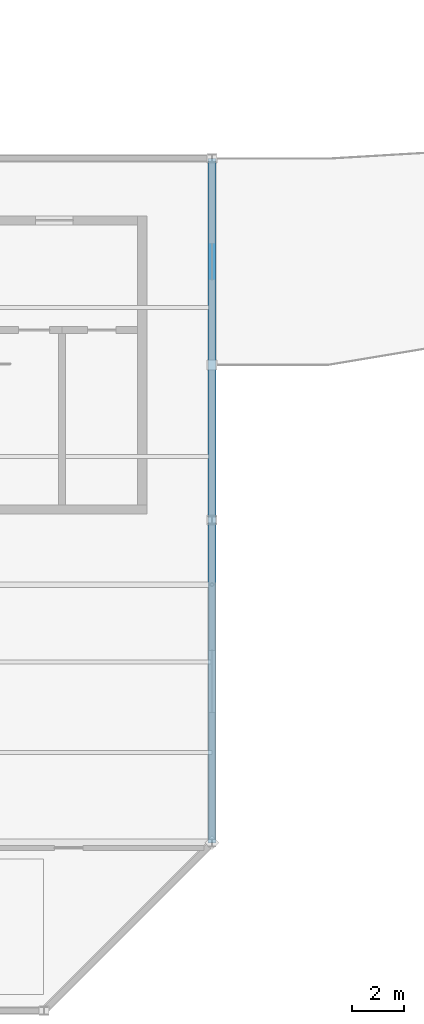
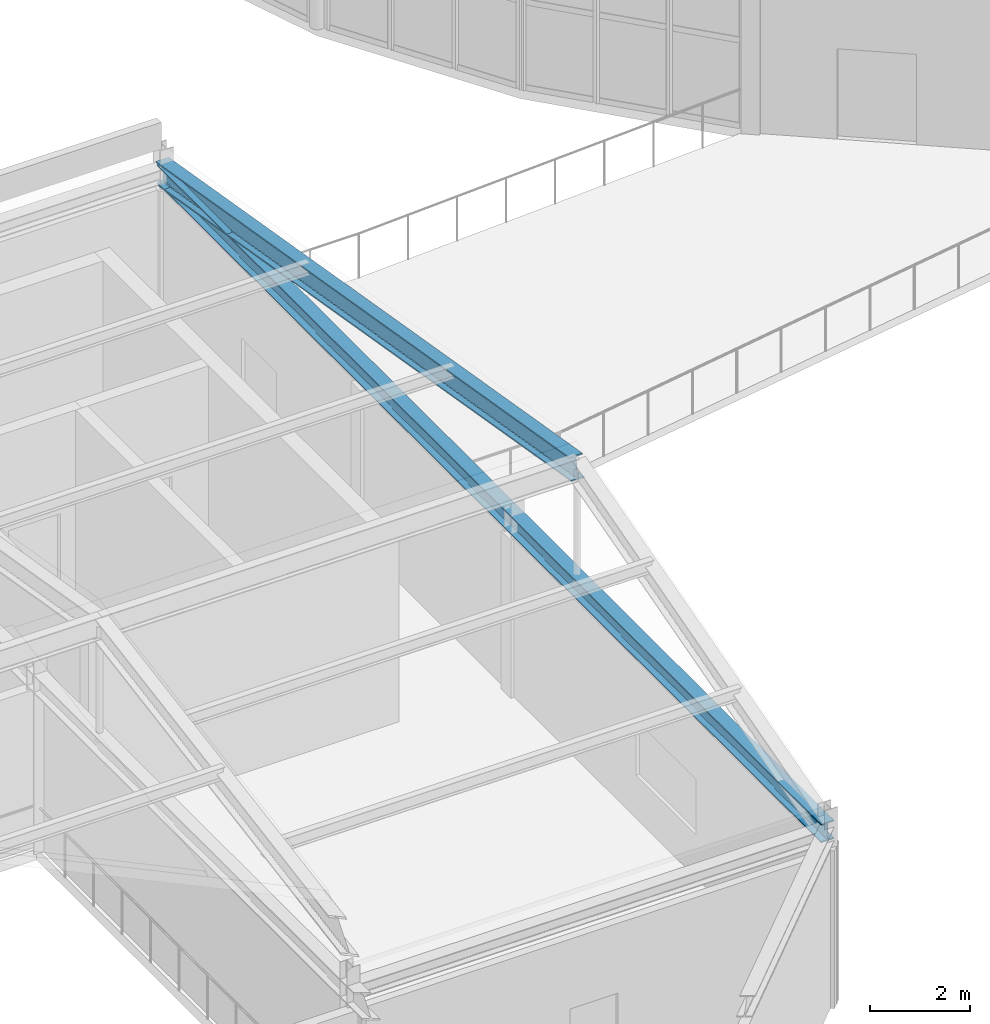
# One storey, part 26 of 108: 1 beam, 1 member.
"""IFC4 building model written with IfcOpenShell, lengths in metres."""

from ifc_helpers import new_model, si_unit, direction, frame, origin, origin_2d, place, context, subcontext, project, spatial, i_section, extrude, material, material_profile, profile_set, type_object, element, save


model = new_model("IFC4")

# Units and contexts
model_context = context("Model", 3, precision=1e-05, world=origin(), true_north=direction((0.0, 1.0)))
body_context = subcontext(model_context, "Body", "Model", "MODEL_VIEW")
ifc_project = project(units=[si_unit("LENGTHUNIT", "METRE"), si_unit("AREAUNIT", "SQUARE_METRE"), si_unit("VOLUMEUNIT", "CUBIC_METRE"), si_unit("PLANEANGLEUNIT", "RADIAN"), si_unit("MASSUNIT", "GRAM", prefix="KILO")], contexts=[model_context])

# Site, building, storey
site_placement = place(None, origin())
site = spatial("IfcSite", under=ifc_project, at=site_placement, CompositionType="ELEMENT")
building_placement = place(site_placement, origin())
building = spatial("IfcBuilding", under=site, at=building_placement, Name="Tarnveldt Headland Concert Hall", CompositionType="ELEMENT")
storey_placement = place(building_placement, frame((0.0, 0.0, 9.60009765625)))
storey = spatial("IfcBuildingStorey", under=building, at=storey_placement, Name="L02", CompositionType="ELEMENT", Elevation=9.60009765625)

# Member
ifc_material = material(Name="Steel S355", Category="steel")
ifc_material_profile_1 = material_profile(ifc_material, i_section(OverallWidth=0.300048828125, OverallDepth=0.550048828125, WebThickness=0.014892578125, FlangeThickness=0.029052734375, FilletRadius=0.027099609375, at=origin_2d()), Name="HEB550", Category="steel")
ifc_profile_set_1 = profile_set([ifc_material_profile_1], Name="Steel S355")
member_type = type_object("IfcMemberType", Name="RF-HEB550", PredefinedType="RAFTER", material=ifc_profile_set_1)
member_placement = place(storey_placement, frame((44.5, 21.5, 6.9599609375), z_axis=(0.0, 0.985904685139, -0.167307955046), x_axis=(-1.0, 0.0, 0.0)))
element("IfcMember", 1, at=member_placement, inside=storey, type_object=member_type, Name="ROOF TRUSS Chamber folded rib 44N", PredefinedType="RAFTER", context=body_context, shape_type="SweptSolid", body=[
    extrude(i_section(OverallWidth=0.300048828125, OverallDepth=0.550048828125, WebThickness=0.014892578125, FlangeThickness=0.029052734375, FilletRadius=0.027099609375, at=origin_2d()), origin(), (0.0, 0.0, 1.0), 16.73583984375),
])

# Beam
ifc_material_profile_2 = material_profile(ifc_material, i_section(OverallWidth=0.300048828125, OverallDepth=0.449951171875, WebThickness=0.013916015625, FlangeThickness=0.02587890625, FilletRadius=0.027099609375, at=origin_2d()), Name="HEB450", Category="steel")
ifc_profile_set_2 = profile_set([ifc_material_profile_2], Name="Steel S355")
beam_type = type_object("IfcBeamType", Name="SB-HEB450", PredefinedType="BEAM", material=ifc_profile_set_2)
beam_placement = place(storey_placement, frame((44.5, 11.5, 4.159912109375), z_axis=(0.0, 1.0, 0.0), x_axis=(-1.0, 0.0, 0.0)))
element("IfcBeam", 2, at=beam_placement, inside=storey, type_object=beam_type, Name="ROOF TRUSS Chamber bottom tie 44", PredefinedType="BEAM", context=body_context, shape_type="SweptSolid", body=[
    extrude(i_section(OverallWidth=0.300048828125, OverallDepth=0.449951171875, WebThickness=0.013916015625, FlangeThickness=0.02587890625, FilletRadius=0.027099609375, at=origin_2d()), origin(), (0.0, 0.0, 1.0), 26.5),
])

save(model, "model.ifc")
